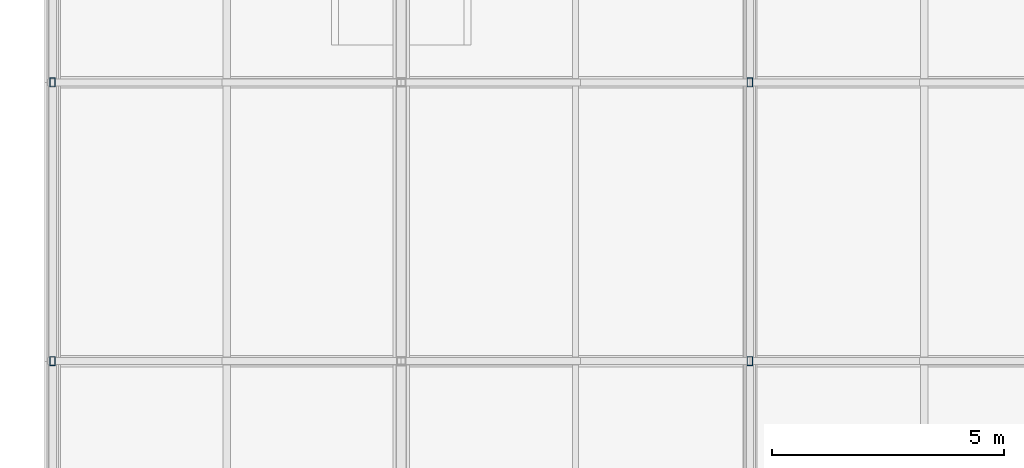
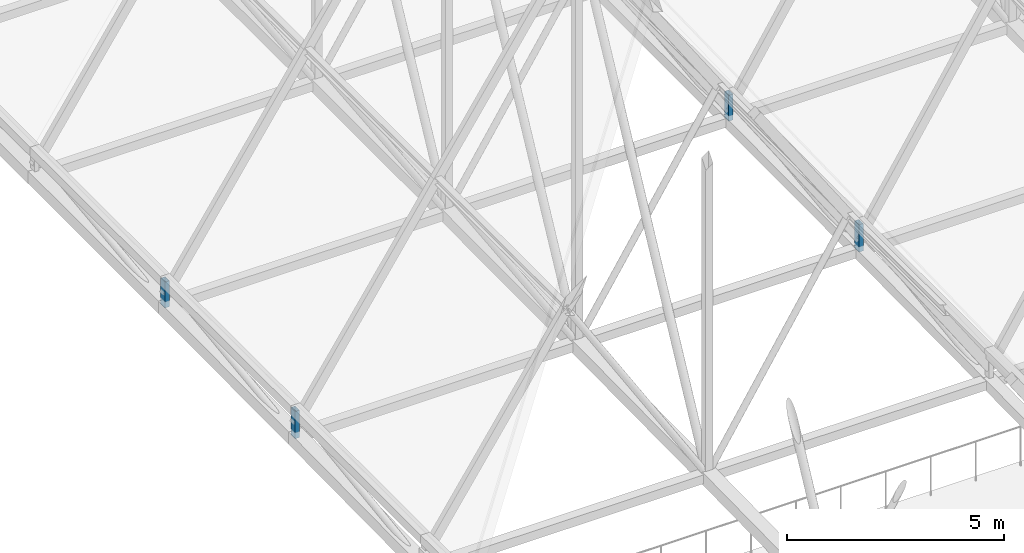
# One storey, part 247 of 324: 4 members.
"""IFC4 building model written with IfcOpenShell, lengths in metres."""

from ifc_helpers import new_model, si_unit, direction, frame, origin, origin_2d, place, context, subcontext, project, spatial, hollow_rectangle, extrude, material, material_profile, profile_set, type_object, element, save


model = new_model("IFC4")

# Units and contexts
model_context = context("Model", 3, precision=1e-05, world=origin(), true_north=direction((0.0, 1.0)))
body_context = subcontext(model_context, "Body", "Model", "MODEL_VIEW")
ifc_project = project(units=[si_unit("LENGTHUNIT", "METRE"), si_unit("AREAUNIT", "SQUARE_METRE"), si_unit("VOLUMEUNIT", "CUBIC_METRE"), si_unit("PLANEANGLEUNIT", "RADIAN"), si_unit("MASSUNIT", "GRAM", prefix="KILO")], contexts=[model_context])

# Site, building, storey
site_placement = place(None, origin())
site = spatial("IfcSite", under=ifc_project, at=site_placement, CompositionType="ELEMENT")
building_placement = place(site_placement, origin())
building = spatial("IfcBuilding", under=site, at=building_placement, Name="Solvenia Promenade Tram Depot", CompositionType="ELEMENT")
storey_placement = place(building_placement, frame((0.0, 0.0, 4.5)))
storey = spatial("IfcBuildingStorey", under=building, at=storey_placement, Name="L01", CompositionType="ELEMENT", Elevation=4.5)

# Members
ifc_material = material(Name="Structural steel ASTM A500 Gr. C", Category="steel")
ifc_material_profile = material_profile(ifc_material, hollow_rectangle(XDim=0.1201171875, YDim=0.199951171875, WallThickness=0.008056640625, at=origin_2d()), Name="HSS200x120x8", Category="steel")
ifc_profile_set = profile_set([ifc_material_profile], Name="Structural steel ASTM A500 Gr. C")
member_type = type_object("IfcMemberType", Name="Post-HSS200x120x8", PredefinedType="POST", material=ifc_profile_set)
member_1_placement = place(storey_placement, frame((0.0, 84.0, 2.614013671875), z_axis=(0.0, 0.0, 1.0), x_axis=(1.0, 0.0, 0.0)))
element("IfcMember", 1, at=member_1_placement, inside=storey, type_object=member_type, Name="Arched Truss T01 Web Post S03", PredefinedType="POST", context=body_context, shape_type="SweptSolid", body=[
    extrude(hollow_rectangle(XDim=0.1201171875, YDim=0.199951171875, WallThickness=0.008056640625, at=origin_2d()), origin(), (0.0, 0.0, 1.0), 0.765869140625),
])
member_2_placement = place(storey_placement, frame((0.0, 90.0, 2.656005859375), z_axis=(0.0, 0.0, 1.0), x_axis=(1.0, 0.0, 0.0)))
element("IfcMember", 2, at=member_2_placement, inside=storey, type_object=member_type, Name="Arched Truss T01 Web Post S04", PredefinedType="POST", context=body_context, shape_type="SweptSolid", body=[
    extrude(hollow_rectangle(XDim=0.1201171875, YDim=0.199951171875, WallThickness=0.008056640625, at=origin_2d()), origin(), (0.0, 0.0, 1.0), 0.723876953125),
])
member_3_placement = place(storey_placement, frame((15.0, 84.0, 2.614013671875), z_axis=(0.0, 0.0, 1.0), x_axis=(1.0, 0.0, 0.0)))
element("IfcMember", 3, at=member_3_placement, inside=storey, type_object=member_type, Name="Arched Truss T03 Web Post S03", PredefinedType="POST", context=body_context, shape_type="SweptSolid", body=[
    extrude(hollow_rectangle(XDim=0.1201171875, YDim=0.199951171875, WallThickness=0.008056640625, at=origin_2d()), origin(), (0.0, 0.0, 1.0), 0.765869140625),
])
member_4_placement = place(storey_placement, frame((15.0, 90.0, 2.656005859375), z_axis=(0.0, 0.0, 1.0), x_axis=(1.0, 0.0, 0.0)))
element("IfcMember", 4, at=member_4_placement, inside=storey, type_object=member_type, Name="Arched Truss T03 Web Post S04", PredefinedType="POST", context=body_context, shape_type="SweptSolid", body=[
    extrude(hollow_rectangle(XDim=0.1201171875, YDim=0.199951171875, WallThickness=0.008056640625, at=origin_2d()), origin(), (0.0, 0.0, 1.0), 0.723876953125),
])

save(model, "model.ifc")
